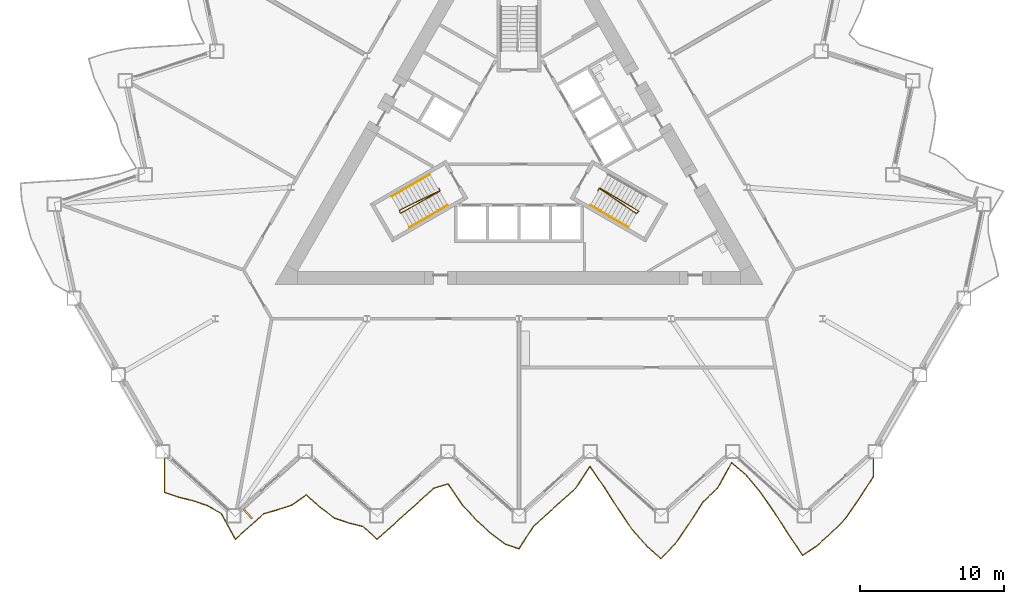
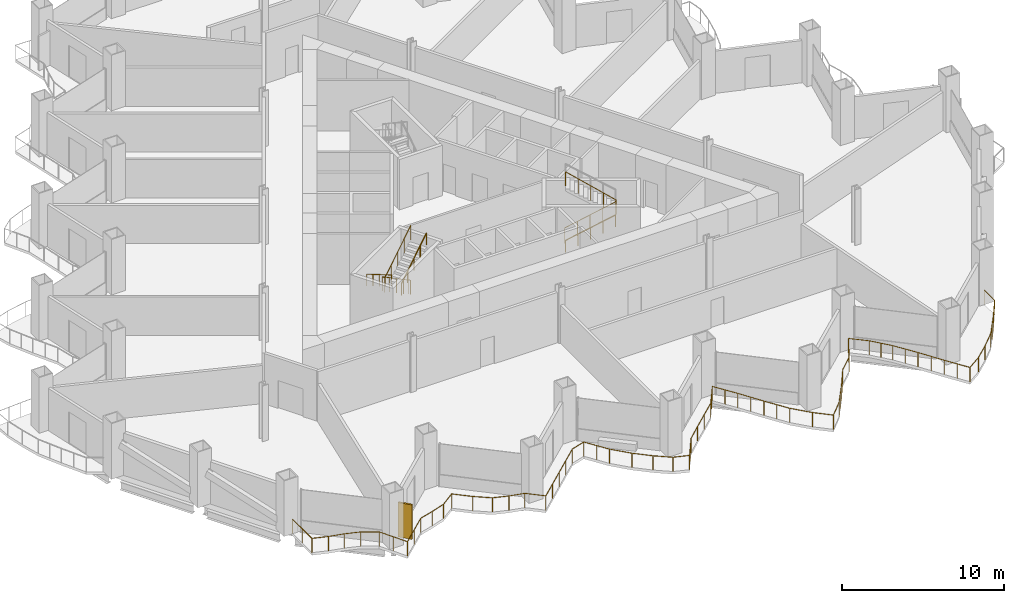
# One storey, part 17 of 21: 6 railings, 1 shading device.
"""IFC4 building model written with IfcOpenShell, lengths in metres."""

import ifcopenshell
import ifcopenshell.guid

model = None  # the IFC model being written
_history = None  # IfcOwnerHistory: only IFC2X3 demands one
_inside = {}  # id of a spatial element -> (the spatial element, [elements in it])
_under = {}  # id of a project, library or spatial element -> (it, [spatial elements below it])
_declared = {}  # id of a project -> (the project, [libraries it declares])
_typed = {}  # id of a type object -> (the type object, [elements of that type])
_made_of = {}  # id of a material, layer set ... -> (it, [elements and type objects made of it])


def new_model(schema):
    """Start an empty IFC model of exactly this schema.

    Asked for "IFC4X3", IfcOpenShell would pick the latest addendum, in which some entities
    have other attributes; the version numbers below select the first issue.
    IFC2X3 requires an IfcOwnerHistory on every rooted entity: one is made here for all.
    """
    global model, _history
    if schema == "IFC4X3":
        model = ifcopenshell.file(schema_version=(4, 3, 0, 0))
    else:
        model = ifcopenshell.file(schema=schema)
    _inside.clear()
    _under.clear()
    _declared.clear()
    _typed.clear()
    _made_of.clear()
    _history = None
    if model.schema == "IFC2X3":
        org = make("IfcOrganization", Name="unknown")
        user = make(
            "IfcPersonAndOrganization",
            ThePerson=make("IfcPerson", FamilyName="unknown"),
            TheOrganization=org,
        )
        app = make(
            "IfcApplication",
            ApplicationDeveloper=org,
            Version="unknown",
            ApplicationFullName="unknown",
            ApplicationIdentifier="unknown",
        )
        _history = make(
            "IfcOwnerHistory",
            OwningUser=user,
            OwningApplication=app,
            ChangeAction="ADDED",
            CreationDate=0,
        )
    return model


def make(cls, **values):
    """One entity of the class cls with the attributes given. An attribute that is None is left unset."""
    return model.create_entity(
        cls, **{name: value for name, value in values.items() if value is not None}
    )


def rooted(cls, **values):
    """An entity with a GlobalId (a new one), such as an element, a storey or a relation."""
    return make(cls, GlobalId=ifcopenshell.guid.new(), OwnerHistory=_history, **values)


def si_unit(unit_type, name, prefix=None):
    """IfcSIUnit, for example si_unit("LENGTHUNIT", "METRE", prefix="MILLI")."""
    return make("IfcSIUnit", UnitType=unit_type, Prefix=prefix, Name=name)


def assignment(units):
    """IfcUnitAssignment: the units of a project."""
    return None if units is None else make("IfcUnitAssignment", Units=units)


def point(xyz):
    """IfcCartesianPoint."""
    return None if xyz is None else make("IfcCartesianPoint", Coordinates=xyz)


def direction(xyz):
    """IfcDirection."""
    return None if xyz is None else make("IfcDirection", DirectionRatios=xyz)


def frame(location, z_axis=None, x_axis=None):
    """IfcAxis2Placement3D, a coordinate frame: its origin and axes. An axis left out is left unset."""
    return make(
        "IfcAxis2Placement3D",
        Location=point(location),
        Axis=direction(z_axis),
        RefDirection=direction(x_axis),
    )


def frame_2d(location, x_axis=None):
    """IfcAxis2Placement2D, a coordinate frame in the plane: its origin and x axis."""
    return make(
        "IfcAxis2Placement2D", Location=point(location), RefDirection=direction(x_axis)
    )


def origin():
    """The frame at (0, 0, 0) with its axes left unset."""
    return frame((0.0, 0.0, 0.0))


def origin_2d():
    """The frame at (0, 0) in the plane with its x axis left unset."""
    return frame_2d((0.0, 0.0))


def place(relative_to, where):
    """IfcLocalPlacement: puts the frame where relative to a parent placement (None: the world)."""
    return make(
        "IfcLocalPlacement", PlacementRelTo=relative_to, RelativePlacement=where
    )


def context(
    kind, dimensions, precision=None, world=None, true_north=None, identifier=None
):
    """IfcGeometricRepresentationContext, for example the 3D "Model" context."""
    return make(
        "IfcGeometricRepresentationContext",
        ContextIdentifier=identifier,
        ContextType=kind,
        CoordinateSpaceDimension=dimensions,
        Precision=precision,
        WorldCoordinateSystem=world,
        TrueNorth=true_north,
    )


def subcontext(parent, identifier, kind, view, scale=None):
    """IfcGeometricRepresentationSubContext, for example "Body" below "Model"."""
    return make(
        "IfcGeometricRepresentationSubContext",
        ContextIdentifier=identifier,
        ContextType=kind,
        ParentContext=parent,
        TargetScale=scale,
        TargetView=view,
    )


def project(units=None, contexts=None):
    """IfcProject with its units and contexts."""
    return rooted(
        "IfcProject",
        Name="project",
        RepresentationContexts=contexts,
        UnitsInContext=assignment(units),
    )


def spatial(cls, under=None, at=None, **own):
    """A site, building, storey or space (cls), placed at a placement, below another one or the project."""
    s = rooted(cls, ObjectPlacement=at, **own)
    if under is not None:
        _under.setdefault(under.id(), (under, []))[1].append(s)
    return s


def profile(cls, at=None, kind="AREA", **sizes):
    """A parametric profile (cls). Its sizes go by their IFC names, for example OverallWidth=200.0."""
    return make(cls, ProfileType=kind, Position=at, **sizes)


def rectangle(**sizes):
    """IfcRectangleProfileDef."""
    return profile("IfcRectangleProfileDef", **sizes)


def circle(**sizes):
    """IfcCircleProfileDef."""
    return profile("IfcCircleProfileDef", **sizes)


def extrude(swept, where, along, depth):
    """IfcExtrudedAreaSolid: the profile swept, set in the frame where, extruded along a direction by depth."""
    return make(
        "IfcExtrudedAreaSolid",
        SweptArea=swept,
        Position=where,
        ExtrudedDirection=direction(along),
        Depth=depth,
    )


def shape(context_of_items, identifier, shape_type, items):
    """IfcShapeRepresentation: the items that make up one representation, for example the "Body"."""
    return make(
        "IfcShapeRepresentation",
        ContextOfItems=context_of_items,
        RepresentationIdentifier=identifier,
        RepresentationType=shape_type,
        Items=items,
    )


def material(Name=None, Category=None):
    """IfcMaterial."""
    return make("IfcMaterial", Name=Name, Category=Category)


def layer(
    of_material, thickness, ventilated=None, Name=None, Category=None, Priority=None
):
    """IfcMaterialLayer: one layer of a wall or slab, of a material (None: an air gap)."""
    return make(
        "IfcMaterialLayer",
        Material=of_material,
        LayerThickness=thickness,
        IsVentilated=ventilated,
        Name=Name,
        Category=Category,
        Priority=Priority,
    )


def layer_set(layers, Name=None):
    """IfcMaterialLayerSet."""
    return make("IfcMaterialLayerSet", MaterialLayers=layers, LayerSetName=Name)


def made_of(thing, what):
    """Note that an element or type object is made of a material, layer set ...; save() writes the relation."""
    if what is not None:
        _made_of.setdefault(what.id(), (what, []))[1].append(thing)
    return thing


def type_object(cls, material=None, **own):
    """A type object (cls), such as IfcWallType, which elements share."""
    return made_of(rooted(cls, **own), material)


def element(
    cls,
    number,
    at=None,
    inside=None,
    cuts=None,
    type_object=None,
    material=None,
    context=None,
    identifier="Body",
    shape_type=None,
    held_by="IfcProductDefinitionShape",
    body=None,
    shapes=None,
    **own,
):
    """One element of the class cls, such as IfcWall. Its Tag is "e" and its number.

    at: its placement. inside: the storey or other place that contains it. cuts: it is an
    opening in that element (IfcRelVoidsElement). A single representation is given by context,
    identifier, shape_type and body (its items); several are given by shapes. held_by: the class
    of the entity that holds the representations. save() writes the other relations.
    """
    e = rooted(cls, Tag="e%d" % number, ObjectPlacement=at, **own)
    if body is not None:
        shapes = [shape(context, identifier, shape_type, body)]
    if shapes is not None:
        e.Representation = make(held_by, Representations=shapes)
    if inside is not None:
        _inside.setdefault(inside.id(), (inside, []))[1].append(e)
    if cuts is not None:
        rooted(
            "IfcRelVoidsElement", RelatingBuildingElement=cuts, RelatedOpeningElement=e
        )
    if type_object is not None:
        _typed.setdefault(type_object.id(), (type_object, []))[1].append(e)
    return made_of(e, material)


def aggregate(whole, parts):
    """IfcRelAggregates: a whole, such as a stair, and the parts it consists of."""
    return rooted("IfcRelAggregates", RelatingObject=whole, RelatedObjects=parts)


def save(model, path):
    """Write the relations noted so far, then the file.

    IfcRelAggregates (storeys below a building ...), IfcRelContainedInSpatialStructure (elements
    in a storey), IfcRelDefinesByType, IfcRelAssociatesMaterial and IfcRelDeclares: one each for
    every whole, place, type object, material and project.
    """
    for whole, parts in _under.values():
        aggregate(whole, parts)
    for where, things in _inside.values():
        rooted(
            "IfcRelContainedInSpatialStructure",
            RelatedElements=things,
            RelatingStructure=where,
        )
    for kind, things in _typed.values():
        rooted("IfcRelDefinesByType", RelatedObjects=things, RelatingType=kind)
    for what, things in _made_of.values():
        rooted("IfcRelAssociatesMaterial", RelatedObjects=things, RelatingMaterial=what)
    for by, libraries in _declared.values():
        rooted("IfcRelDeclares", RelatingContext=by, RelatedDefinitions=libraries)
    model.write(path)


model = new_model("IFC4")

# Units and contexts
model_context = context("Model", 3, precision=1e-05, world=origin(), true_north=direction((0.0, 1.0)))
body_context = subcontext(model_context, "Body", "Model", "MODEL_VIEW")
ifc_project = project(units=[si_unit("LENGTHUNIT", "METRE"), si_unit("AREAUNIT", "SQUARE_METRE"), si_unit("VOLUMEUNIT", "CUBIC_METRE"), si_unit("PLANEANGLEUNIT", "RADIAN"), si_unit("MASSUNIT", "GRAM", prefix="KILO")], contexts=[model_context])

# Site, building, storey
site_placement = place(None, origin())
site = spatial("IfcSite", under=ifc_project, at=site_placement, CompositionType="ELEMENT")
building_placement = place(site_placement, origin())
building = spatial("IfcBuilding", under=site, at=building_placement, Name="Cormorant Prow Tower", CompositionType="ELEMENT")
storey_placement = place(building_placement, frame((0.0, 0.0, 80.39990234375)))
storey = spatial("IfcBuildingStorey", under=building, at=storey_placement, Name="L17", CompositionType="ELEMENT", Elevation=80.39990234375)

# Railings
ifc_material_1 = material(Name="Aluminium 6063-T6", Category="aluminium")
railing_type_1 = type_object("IfcRailingType", Name="Balcony guard 1100", PredefinedType="GUARDRAIL", material=ifc_material_1)
railing_1_placement = place(storey_placement, frame((-24.7021484375, -21.913818359375, 0.0)))
element("IfcRailing", 1, at=railing_1_placement, inside=storey, type_object=railing_type_1, Name="Balcony guard S", PredefinedType="GUARDRAIL", context=body_context, shape_type="SweptSolid", body=[
    extrude(circle(Radius=0.02392578125, at=origin_2d()), frame((0.0, 0.0, 1.076171875), z_axis=(0.0, -1.0, 0.0), x_axis=(1.0, 0.0, 0.0)), (0.0, 0.0, 1.0), 2.404052734375),
    extrude(circle(Radius=0.02392578125, at=origin_2d()), frame((0.0, -2.404052734375, 1.076171875), z_axis=(0.948190131152, -0.317703439052, 0.0), x_axis=(0.317703439052, 0.948190131152, 0.0)), (0.0, 0.0, 1.0), 1.0419921875),
    extrude(circle(Radius=0.02392578125, at=origin_2d()), frame((0.988037109375, -2.735107421875, 1.076171875), z_axis=(0.97074618977, -0.240107965397, 0.0), x_axis=(0.240107965397, 0.97074618977, 0.0)), (0.0, 0.0, 1.0), 1.017822265625),
    extrude(circle(Radius=0.02392578125, at=origin_2d()), frame((1.97607421875, -2.9794921875, 1.076171875), z_axis=(0.948636418242, -0.316368370708, 0.0), x_axis=(0.316368370708, 0.948636418242, 0.0)), (0.0, 0.0, 1.0), 1.041748046875),
    extrude(circle(Radius=0.02392578125, at=origin_2d()), frame((2.96435546875, -3.30908203125, 1.076171875), z_axis=(0.868388356242, -0.495884727273, 0.0), x_axis=(0.495884727273, 0.868388356242, 0.0)), (0.0, 0.0, 1.0), 1.1376953125),
    extrude(circle(Radius=0.02392578125, at=origin_2d()), frame((3.952392578125, -3.873291015625, 1.076171875), z_axis=(0.482179429385, -0.876072484375, 0.0), x_axis=(0.876072484375, 0.482179429385, 0.0)), (0.0, 0.0, 1.0), 2.049072265625),
    extrude(circle(Radius=0.02392578125, at=origin_2d()), frame((4.9404296875, -5.66845703125, 1.076171875), z_axis=(0.743138905534, 0.669137181064, 0.0), x_axis=(-0.669137181064, 0.743138905534, 0.0)), (0.0, 0.0, 1.0), 1.32958984375),
    extrude(circle(Radius=0.02392578125, at=origin_2d()), frame((5.928466796875, -4.77880859375, 1.076171875), z_axis=(0.743138905534, 0.669137181064, 0.0), x_axis=(-0.669137181064, 0.743138905534, 0.0)), (0.0, 0.0, 1.0), 1.32958984375),
    extrude(circle(Radius=0.02392578125, at=origin_2d()), frame((6.91650390625, -3.88916015625, 1.076171875), z_axis=(0.962042510506, 0.272899629864, 0.0), x_axis=(-0.272899629864, 0.962042510506, 0.0)), (0.0, 0.0, 1.0), 1.027099609375),
    extrude(circle(Radius=0.02392578125, at=origin_2d()), frame((7.904541015625, -3.60888671875, 1.076171875), z_axis=(0.94940785685, 0.314045731305, 0.0), x_axis=(-0.314045731305, 0.94940785685, 0.0)), (0.0, 0.0, 1.0), 1.041015625),
    extrude(circle(Radius=0.02392578125, at=origin_2d()), frame((8.892822265625, -3.281982421875, 1.076171875), z_axis=(0.811328955943, 0.584589877818, 0.0), x_axis=(-0.584589877818, 0.811328955943, 0.0)), (0.0, 0.0, 1.0), 1.2177734375),
    extrude(circle(Radius=0.02392578125, at=origin_2d()), frame((9.880859375, -2.570068359375, 1.076171875), z_axis=(0.743138905534, -0.669137181064, 0.0), x_axis=(0.669137181064, 0.743138905534, 0.0)), (0.0, 0.0, 1.0), 1.32958984375),
    extrude(circle(Radius=0.02392578125, at=origin_2d()), frame((10.868896484375, -3.459716796875, 1.076171875), z_axis=(0.800782885932, -0.598954730842, 0.0), x_axis=(0.598954730842, 0.800782885932, 0.0)), (0.0, 0.0, 1.0), 1.23388671875),
    extrude(circle(Radius=0.02392578125, at=origin_2d()), frame((11.85693359375, -4.19873046875, 1.076171875), z_axis=(0.946510188179, -0.322673927788, 0.0), x_axis=(0.322673927788, 0.946510188179, 0.0)), (0.0, 0.0, 1.0), 1.044189453125),
    extrude(circle(Radius=0.02392578125, at=origin_2d()), frame((12.84521484375, -4.53564453125, 1.076171875), z_axis=(0.97074618977, -0.240107965397, 0.0), x_axis=(0.240107965397, 0.97074618977, 0.0)), (0.0, 0.0, 1.0), 1.017822265625),
    extrude(circle(Radius=0.02392578125, at=origin_2d()), frame((13.833251953125, -4.780029296875, 1.076171875), z_axis=(0.743595566693, -0.668629668198, 0.0), x_axis=(0.668629668198, 0.743595566693, 0.0)), (0.0, 0.0, 1.0), 1.32861328125),
    extrude(circle(Radius=0.02392578125, at=origin_2d()), frame((14.8212890625, -5.66845703125, 1.076171875), z_axis=(0.743138905534, 0.669137181064, 0.0), x_axis=(-0.669137181064, 0.743138905534, 0.0)), (0.0, 0.0, 1.0), 1.32958984375),
    extrude(circle(Radius=0.02392578125, at=origin_2d()), frame((15.809326171875, -4.77880859375, 1.076171875), z_axis=(0.743138905534, 0.669137181064, 0.0), x_axis=(-0.669137181064, 0.743138905534, 0.0)), (0.0, 0.0, 1.0), 1.32958984375),
    extrude(circle(Radius=0.02392578125, at=origin_2d()), frame((16.79736328125, -3.88916015625, 1.076171875), z_axis=(0.743221106747, 0.669045877714, 0.0), x_axis=(-0.669045877714, 0.743221106747, 0.0)), (0.0, 0.0, 1.0), 1.329833984375),
    extrude(circle(Radius=0.02392578125, at=origin_2d()), frame((17.78564453125, -2.99951171875, 1.076171875), z_axis=(0.743138905534, 0.669137181064, 0.0), x_axis=(-0.669137181064, 0.743138905534, 0.0)), (0.0, 0.0, 1.0), 1.32958984375),
    extrude(circle(Radius=0.02392578125, at=origin_2d()), frame((18.773681640625, -2.10986328125, 1.076171875), z_axis=(0.956390087859, 0.292092450851, 0.0), x_axis=(-0.292092450851, 0.956390087859, 0.0)), (0.0, 0.0, 1.0), 1.033203125),
    extrude(circle(Radius=0.02392578125, at=origin_2d()), frame((19.76171875, -1.80810546875, 1.076171875), z_axis=(0.560986063044, -0.82782524549, 0.0), x_axis=(0.82782524549, 0.560986063044, 0.0)), (0.0, 0.0, 1.0), 1.76123046875),
    extrude(circle(Radius=0.02392578125, at=origin_2d()), frame((20.749755859375, -3.26611328125, 1.076171875), z_axis=(0.673890236732, -0.738831475261, 0.0), x_axis=(0.738831475261, 0.673890236732, 0.0)), (0.0, 0.0, 1.0), 1.466064453125),
    extrude(circle(Radius=0.02392578125, at=origin_2d()), frame((21.73779296875, -4.349365234375, 1.076171875), z_axis=(0.743138905534, -0.669137181064, 0.0), x_axis=(0.669137181064, 0.743138905534, 0.0)), (0.0, 0.0, 1.0), 1.32958984375),
    extrude(circle(Radius=0.02392578125, at=origin_2d()), frame((22.725830078125, -5.239013671875, 1.076171875), z_axis=(0.794976169814, -0.606640659228, 0.0), x_axis=(0.606640659228, 0.794976169814, 0.0)), (0.0, 0.0, 1.0), 1.2431640625),
    extrude(circle(Radius=0.02392578125, at=origin_2d()), frame((23.714111328125, -5.9931640625, 1.076171875), z_axis=(0.944761037783, -0.327759944909, 0.0), x_axis=(0.327759944909, 0.944761037783, 0.0)), (0.0, 0.0, 1.0), 1.0458984375),
    extrude(circle(Radius=0.02392578125, at=origin_2d()), frame((24.7021484375, -6.3359375, 1.076171875), z_axis=(0.541386229639, 0.840774018602, 0.0), x_axis=(-0.840774018602, 0.541386229639, 0.0)), (0.0, 0.0, 1.0), 1.824951171875),
    extrude(circle(Radius=0.02392578125, at=origin_2d()), frame((25.690185546875, -4.801513671875, 1.076171875), z_axis=(0.734768648646, 0.67831779644, 0.0), x_axis=(-0.67831779644, 0.734768648646, 0.0)), (0.0, 0.0, 1.0), 1.344970703125),
    extrude(circle(Radius=0.02392578125, at=origin_2d()), frame((26.678466796875, -3.88916015625, 1.076171875), z_axis=(0.743138905534, 0.669137181064, 0.0), x_axis=(-0.669137181064, 0.743138905534, 0.0)), (0.0, 0.0, 1.0), 1.32958984375),
    extrude(circle(Radius=0.02392578125, at=origin_2d()), frame((27.66650390625, -2.99951171875, 1.076171875), z_axis=(0.743138905534, 0.669137181064, 0.0), x_axis=(-0.669137181064, 0.743138905534, 0.0)), (0.0, 0.0, 1.0), 1.32958984375),
    extrude(circle(Radius=0.02392578125, at=origin_2d()), frame((28.654541015625, -2.10986328125, 1.076171875), z_axis=(0.547096376905, 0.837069623375, 0.0), x_axis=(-0.837069623375, 0.547096376905, 0.0)), (0.0, 0.0, 1.0), 1.805908203125),
    extrude(circle(Radius=0.02392578125, at=origin_2d()), frame((29.642578125, -0.59814453125, 1.076171875), z_axis=(0.567480618959, -0.823386754269, 0.0), x_axis=(0.823386754269, 0.567480618959, 0.0)), (0.0, 0.0, 1.0), 1.7412109375),
    extrude(circle(Radius=0.02392578125, at=origin_2d()), frame((30.630615234375, -2.03173828125, 1.076171875), z_axis=(0.541447127104, -0.840734802748, 0.0), x_axis=(0.840734802748, 0.541447127104, 0.0)), (0.0, 0.0, 1.0), 1.82470703125),
    extrude(circle(Radius=0.02392578125, at=origin_2d()), frame((31.61865234375, -3.56591796875, 1.076171875), z_axis=(0.559667552129, -0.828717220223, 0.0), x_axis=(0.828717220223, 0.559667552129, 0.0)), (0.0, 0.0, 1.0), 1.765869140625),
    extrude(circle(Radius=0.02392578125, at=origin_2d()), frame((32.60693359375, -5.029296875, 1.076171875), z_axis=(0.668444418094, -0.743762099006, 0.0), x_axis=(0.743762099006, 0.668444418094, 0.0)), (0.0, 0.0, 1.0), 1.47802734375),
    extrude(circle(Radius=0.02392578125, at=origin_2d()), frame((33.594970703125, -6.128662109375, 1.076171875), z_axis=(0.743047599076, -0.669238571443, 0.0), x_axis=(0.669238571443, 0.743047599076, 0.0)), (0.0, 0.0, 1.0), 1.32958984375),
    extrude(circle(Radius=0.02392578125, at=origin_2d()), frame((34.5830078125, -7.0185546875, 1.076171875), z_axis=(0.699115669359, 0.71500858796, 0.0), x_axis=(-0.71500858796, 0.699115669359, 0.0)), (0.0, 0.0, 1.0), 1.413330078125),
    extrude(circle(Radius=0.02392578125, at=origin_2d()), frame((35.571044921875, -6.008056640625, 1.076171875), z_axis=(0.568333352067, 0.822798396284, 0.0), x_axis=(-0.822798396284, 0.568333352067, 0.0)), (0.0, 0.0, 1.0), 1.738525390625),
    extrude(circle(Radius=0.02392578125, at=origin_2d()), frame((36.55908203125, -4.57763671875, 1.076171875), z_axis=(0.541602594243, 0.840634658999, 0.0), x_axis=(-0.840634658999, 0.541602594243, 0.0)), (0.0, 0.0, 1.0), 1.82470703125),
    extrude(circle(Radius=0.02392578125, at=origin_2d()), frame((37.54736328125, -3.043701171875, 1.076171875), z_axis=(0.726759113227, 0.686892416134, 0.0), x_axis=(-0.686892416134, 0.726759113227, 0.0)), (0.0, 0.0, 1.0), 1.359619140625),
    extrude(circle(Radius=0.02392578125, at=origin_2d()), frame((38.535400390625, -2.10986328125, 1.076171875), z_axis=(0.486132407498, 0.873885165443, 0.0), x_axis=(-0.873885165443, 0.486132407498, 0.0)), (0.0, 0.0, 1.0), 2.032470703125),
    extrude(circle(Radius=0.02392578125, at=origin_2d()), frame((39.5234375, -0.333740234375, 1.076171875), z_axis=(0.75757593493, -0.652747043514, 0.0), x_axis=(0.652747043514, 0.75757593493, 0.0)), (0.0, 0.0, 1.0), 1.30419921875),
    extrude(circle(Radius=0.02392578125, at=origin_2d()), frame((40.511474609375, -1.18505859375, 1.076171875), z_axis=(0.642804697736, -0.766030104219, 0.0), x_axis=(0.766030104219, 0.642804697736, 0.0)), (0.0, 0.0, 1.0), 1.537353515625),
    extrude(circle(Radius=0.02392578125, at=origin_2d()), frame((41.499755859375, -2.36279296875, 1.076171875), z_axis=(0.569122223607, -0.822252938332, 0.0), x_axis=(0.822252938332, 0.569122223607, 0.0)), (0.0, 0.0, 1.0), 1.736083984375),
    extrude(circle(Radius=0.02392578125, at=origin_2d()), frame((42.48779296875, -3.790283203125, 1.076171875), z_axis=(0.541568954613, -0.840656331327, 0.0), x_axis=(0.840656331327, 0.541568954613, 0.0)), (0.0, 0.0, 1.0), 1.824462890625),
    extrude(circle(Radius=0.02392578125, at=origin_2d()), frame((43.475830078125, -5.323974609375, 1.076171875), z_axis=(0.558292379585, -0.829644272503, 0.0), x_axis=(0.829644272503, 0.558292379585, 0.0)), (0.0, 0.0, 1.0), 1.769775390625),
    extrude(circle(Radius=0.02392578125, at=origin_2d()), frame((44.4638671875, -6.792236328125, 1.076171875), z_axis=(0.830151959894, 0.55753719471, 0.0), x_axis=(-0.55753719471, 0.830151959894, 0.0)), (0.0, 0.0, 1.0), 1.190185546875),
    extrude(circle(Radius=0.02392578125, at=origin_2d()), frame((45.451904296875, -6.128662109375, 1.076171875), z_axis=(0.743138905534, 0.669137181064, 0.0), x_axis=(-0.669137181064, 0.743138905534, 0.0)), (0.0, 0.0, 1.0), 1.32958984375),
    extrude(circle(Radius=0.02392578125, at=origin_2d()), frame((46.43994140625, -5.239013671875, 1.076171875), z_axis=(0.704404436261, 0.709798837823, 0.0), x_axis=(-0.709798837823, 0.704404436261, 0.0)), (0.0, 0.0, 1.0), 1.403076171875),
    extrude(circle(Radius=0.02392578125, at=origin_2d()), frame((47.42822265625, -4.2431640625, 1.076171875), z_axis=(0.570044680317, 0.821613694166, 0.0), x_axis=(-0.821613694166, 0.570044680317, 0.0)), (0.0, 0.0, 1.0), 1.733154296875),
    extrude(circle(Radius=0.02392578125, at=origin_2d()), frame((48.416259765625, -2.819091796875, 1.076171875), z_axis=(0.541690825575, 0.840577806921, 0.0), x_axis=(-0.840577806921, 0.541690825575, 0.0)), (0.0, 0.0, 1.0), 1.823974609375),
    extrude(circle(Radius=0.02392578125, at=origin_2d()), frame((49.404296875, -1.285888671875, 1.076171875), z_axis=(0.0, 1.0, 0.0), x_axis=(-1.0, 0.0, 0.0)), (0.0, 0.0, 1.0), 1.285888671875),
    extrude(circle(Radius=0.02099609375, at=origin_2d()), origin(), (0.0, 0.0, 1.0), 1.052001953125),
    extrude(circle(Radius=0.02099609375, at=origin_2d()), frame((0.0, -1.2021484375, 0.0)), (0.0, 0.0, 1.0), 1.052001953125),
    extrude(circle(Radius=0.02099609375, at=origin_2d()), frame((0.0, -2.404052734375, 0.0)), (0.0, 0.0, 1.0), 1.052001953125),
    extrude(circle(Radius=0.02099609375, at=origin_2d()), frame((0.988037109375, -2.735107421875, 0.0)), (0.0, 0.0, 1.0), 1.052001953125),
    extrude(circle(Radius=0.02099609375, at=origin_2d()), frame((1.97607421875, -2.9794921875, 0.0)), (0.0, 0.0, 1.0), 1.052001953125),
    extrude(circle(Radius=0.02099609375, at=origin_2d()), frame((2.96435546875, -3.30908203125, 0.0)), (0.0, 0.0, 1.0), 1.052001953125),
    extrude(circle(Radius=0.02099609375, at=origin_2d()), frame((3.952392578125, -3.873291015625, 0.0)), (0.0, 0.0, 1.0), 1.052001953125),
    extrude(circle(Radius=0.02099609375, at=origin_2d()), frame((4.4462890625, -4.77099609375, 0.0)), (0.0, 0.0, 1.0), 1.052001953125),
    extrude(circle(Radius=0.02099609375, at=origin_2d()), frame((4.9404296875, -5.66845703125, 0.0)), (0.0, 0.0, 1.0), 1.052001953125),
    extrude(circle(Radius=0.02099609375, at=origin_2d()), frame((5.928466796875, -4.77880859375, 0.0)), (0.0, 0.0, 1.0), 1.052001953125),
    extrude(circle(Radius=0.02099609375, at=origin_2d()), frame((6.91650390625, -3.88916015625, 0.0)), (0.0, 0.0, 1.0), 1.052001953125),
    extrude(circle(Radius=0.02099609375, at=origin_2d()), frame((7.904541015625, -3.60888671875, 0.0)), (0.0, 0.0, 1.0), 1.052001953125),
    extrude(circle(Radius=0.02099609375, at=origin_2d()), frame((8.892822265625, -3.281982421875, 0.0)), (0.0, 0.0, 1.0), 1.052001953125),
    extrude(circle(Radius=0.02099609375, at=origin_2d()), frame((9.880859375, -2.570068359375, 0.0)), (0.0, 0.0, 1.0), 1.052001953125),
    extrude(circle(Radius=0.02099609375, at=origin_2d()), frame((10.868896484375, -3.459716796875, 0.0)), (0.0, 0.0, 1.0), 1.052001953125),
    extrude(circle(Radius=0.02099609375, at=origin_2d()), frame((11.85693359375, -4.19873046875, 0.0)), (0.0, 0.0, 1.0), 1.052001953125),
    extrude(circle(Radius=0.02099609375, at=origin_2d()), frame((12.84521484375, -4.53564453125, 0.0)), (0.0, 0.0, 1.0), 1.052001953125),
    extrude(circle(Radius=0.02099609375, at=origin_2d()), frame((13.833251953125, -4.780029296875, 0.0)), (0.0, 0.0, 1.0), 1.052001953125),
    extrude(circle(Radius=0.02099609375, at=origin_2d()), frame((14.8212890625, -5.66845703125, 0.0)), (0.0, 0.0, 1.0), 1.052001953125),
    extrude(circle(Radius=0.02099609375, at=origin_2d()), frame((15.809326171875, -4.77880859375, 0.0)), (0.0, 0.0, 1.0), 1.052001953125),
    extrude(circle(Radius=0.02099609375, at=origin_2d()), frame((16.79736328125, -3.88916015625, 0.0)), (0.0, 0.0, 1.0), 1.052001953125),
    extrude(circle(Radius=0.02099609375, at=origin_2d()), frame((17.78564453125, -2.99951171875, 0.0)), (0.0, 0.0, 1.0), 1.052001953125),
    extrude(circle(Radius=0.02099609375, at=origin_2d()), frame((18.773681640625, -2.10986328125, 0.0)), (0.0, 0.0, 1.0), 1.052001953125),
    extrude(circle(Radius=0.02099609375, at=origin_2d()), frame((19.76171875, -1.80810546875, 0.0)), (0.0, 0.0, 1.0), 1.052001953125),
    extrude(circle(Radius=0.02099609375, at=origin_2d()), frame((20.255859375, -2.537109375, 0.0)), (0.0, 0.0, 1.0), 1.052001953125),
    extrude(circle(Radius=0.02099609375, at=origin_2d()), frame((20.749755859375, -3.26611328125, 0.0)), (0.0, 0.0, 1.0), 1.052001953125),
    extrude(circle(Radius=0.02099609375, at=origin_2d()), frame((21.73779296875, -4.349365234375, 0.0)), (0.0, 0.0, 1.0), 1.052001953125),
    extrude(circle(Radius=0.02099609375, at=origin_2d()), frame((22.725830078125, -5.239013671875, 0.0)), (0.0, 0.0, 1.0), 1.052001953125),
    extrude(circle(Radius=0.02099609375, at=origin_2d()), frame((23.714111328125, -5.9931640625, 0.0)), (0.0, 0.0, 1.0), 1.052001953125),
    extrude(circle(Radius=0.02099609375, at=origin_2d()), frame((24.7021484375, -6.3359375, 0.0)), (0.0, 0.0, 1.0), 1.052001953125),
    extrude(circle(Radius=0.02099609375, at=origin_2d()), frame((25.1962890625, -5.56884765625, 0.0)), (0.0, 0.0, 1.0), 1.052001953125),
    extrude(circle(Radius=0.02099609375, at=origin_2d()), frame((25.690185546875, -4.801513671875, 0.0)), (0.0, 0.0, 1.0), 1.052001953125),
    extrude(circle(Radius=0.02099609375, at=origin_2d()), frame((26.678466796875, -3.88916015625, 0.0)), (0.0, 0.0, 1.0), 1.052001953125),
    extrude(circle(Radius=0.02099609375, at=origin_2d()), frame((27.66650390625, -2.99951171875, 0.0)), (0.0, 0.0, 1.0), 1.052001953125),
    extrude(circle(Radius=0.02099609375, at=origin_2d()), frame((28.654541015625, -2.10986328125, 0.0)), (0.0, 0.0, 1.0), 1.052001953125),
    extrude(circle(Radius=0.02099609375, at=origin_2d()), frame((29.1484375, -1.35400390625, 0.0)), (0.0, 0.0, 1.0), 1.052001953125),
    extrude(circle(Radius=0.02099609375, at=origin_2d()), frame((29.642578125, -0.59814453125, 0.0)), (0.0, 0.0, 1.0), 1.052001953125),
    extrude(circle(Radius=0.02099609375, at=origin_2d()), frame((30.13671875, -1.31494140625, 0.0)), (0.0, 0.0, 1.0), 1.052001953125),
    extrude(circle(Radius=0.02099609375, at=origin_2d()), frame((30.630615234375, -2.03173828125, 0.0)), (0.0, 0.0, 1.0), 1.052001953125),
    extrude(circle(Radius=0.02099609375, at=origin_2d()), frame((31.12451171875, -2.798828125, 0.0)), (0.0, 0.0, 1.0), 1.052001953125),
    extrude(circle(Radius=0.02099609375, at=origin_2d()), frame((31.61865234375, -3.56591796875, 0.0)), (0.0, 0.0, 1.0), 1.052001953125),
    extrude(circle(Radius=0.02099609375, at=origin_2d()), frame((32.11279296875, -4.297607421875, 0.0)), (0.0, 0.0, 1.0), 1.052001953125),
    extrude(circle(Radius=0.02099609375, at=origin_2d()), frame((32.60693359375, -5.029296875, 0.0)), (0.0, 0.0, 1.0), 1.052001953125),
    extrude(circle(Radius=0.02099609375, at=origin_2d()), frame((33.594970703125, -6.128662109375, 0.0)), (0.0, 0.0, 1.0), 1.052001953125),
    extrude(circle(Radius=0.02099609375, at=origin_2d()), frame((34.5830078125, -7.0185546875, 0.0)), (0.0, 0.0, 1.0), 1.052001953125),
    extrude(circle(Radius=0.02099609375, at=origin_2d()), frame((35.571044921875, -6.008056640625, 0.0)), (0.0, 0.0, 1.0), 1.052001953125),
    extrude(circle(Radius=0.02099609375, at=origin_2d()), frame((36.06494140625, -5.29296875, 0.0)), (0.0, 0.0, 1.0), 1.052001953125),
    extrude(circle(Radius=0.02099609375, at=origin_2d()), frame((36.55908203125, -4.57763671875, 0.0)), (0.0, 0.0, 1.0), 1.052001953125),
    extrude(circle(Radius=0.02099609375, at=origin_2d()), frame((37.05322265625, -3.810546875, 0.0)), (0.0, 0.0, 1.0), 1.052001953125),
    extrude(circle(Radius=0.02099609375, at=origin_2d()), frame((37.54736328125, -3.043701171875, 0.0)), (0.0, 0.0, 1.0), 1.052001953125),
    extrude(circle(Radius=0.02099609375, at=origin_2d()), frame((38.535400390625, -2.10986328125, 0.0)), (0.0, 0.0, 1.0), 1.052001953125),
    extrude(circle(Radius=0.02099609375, at=origin_2d()), frame((39.029296875, -1.2216796875, 0.0)), (0.0, 0.0, 1.0), 1.052001953125),
    extrude(circle(Radius=0.02099609375, at=origin_2d()), frame((39.5234375, -0.333740234375, 0.0)), (0.0, 0.0, 1.0), 1.052001953125),
    extrude(circle(Radius=0.02099609375, at=origin_2d()), frame((40.511474609375, -1.18505859375, 0.0)), (0.0, 0.0, 1.0), 1.052001953125),
    extrude(circle(Radius=0.02099609375, at=origin_2d()), frame((41.005615234375, -1.77392578125, 0.0)), (0.0, 0.0, 1.0), 1.052001953125),
    extrude(circle(Radius=0.02099609375, at=origin_2d()), frame((41.499755859375, -2.36279296875, 0.0)), (0.0, 0.0, 1.0), 1.052001953125),
    extrude(circle(Radius=0.02099609375, at=origin_2d()), frame((41.99365234375, -3.07666015625, 0.0)), (0.0, 0.0, 1.0), 1.052001953125),
    extrude(circle(Radius=0.02099609375, at=origin_2d()), frame((42.48779296875, -3.790283203125, 0.0)), (0.0, 0.0, 1.0), 1.052001953125),
    extrude(circle(Radius=0.02099609375, at=origin_2d()), frame((42.98193359375, -4.55712890625, 0.0)), (0.0, 0.0, 1.0), 1.052001953125),
    extrude(circle(Radius=0.02099609375, at=origin_2d()), frame((43.475830078125, -5.323974609375, 0.0)), (0.0, 0.0, 1.0), 1.052001953125),
    extrude(circle(Radius=0.02099609375, at=origin_2d()), frame((43.9697265625, -6.05810546875, 0.0)), (0.0, 0.0, 1.0), 1.052001953125),
    extrude(circle(Radius=0.02099609375, at=origin_2d()), frame((44.4638671875, -6.792236328125, 0.0)), (0.0, 0.0, 1.0), 1.052001953125),
    extrude(circle(Radius=0.02099609375, at=origin_2d()), frame((45.451904296875, -6.128662109375, 0.0)), (0.0, 0.0, 1.0), 1.052001953125),
    extrude(circle(Radius=0.02099609375, at=origin_2d()), frame((46.43994140625, -5.239013671875, 0.0)), (0.0, 0.0, 1.0), 1.052001953125),
    extrude(circle(Radius=0.02099609375, at=origin_2d()), frame((47.42822265625, -4.2431640625, 0.0)), (0.0, 0.0, 1.0), 1.052001953125),
    extrude(circle(Radius=0.02099609375, at=origin_2d()), frame((47.92236328125, -3.53125, 0.0)), (0.0, 0.0, 1.0), 1.052001953125),
    extrude(circle(Radius=0.02099609375, at=origin_2d()), frame((48.416259765625, -2.819091796875, 0.0)), (0.0, 0.0, 1.0), 1.052001953125),
    extrude(circle(Radius=0.02099609375, at=origin_2d()), frame((48.91015625, -2.052490234375, 0.0)), (0.0, 0.0, 1.0), 1.052001953125),
    extrude(circle(Radius=0.02099609375, at=origin_2d()), frame((49.404296875, -1.285888671875, 0.0)), (0.0, 0.0, 1.0), 1.052001953125),
    extrude(circle(Radius=0.02099609375, at=origin_2d()), frame((49.404296875, 0.0, 0.0)), (0.0, 0.0, 1.0), 1.052001953125),
])
ifc_material_2 = material(Name="Stainless steel", Category="steel")
railing_type_2 = type_object("IfcRailingType", Name="Stair guard 1100", PredefinedType="GUARDRAIL", material=ifc_material_2)
railing_2_placement = place(storey_placement, frame((-5.585205078125, -3.137939453125, 0.0)))
element("IfcRailing", 2, at=railing_2_placement, inside=storey, type_object=railing_type_2, Name="L17 ST1 stair guard 1", PredefinedType="GUARDRAIL", context=body_context, shape_type="SweptSolid", body=[
    extrude(circle(Radius=0.02392578125, at=origin_2d()), frame((0.0, 0.0, 1.076171875), z_axis=(0.501036270542, -0.865426285481, 0.0), x_axis=(0.865426285481, 0.501036270542, 0.0)), (0.0, 0.0, 1.0), 0.150146484375),
    extrude(circle(Radius=0.02392578125, at=origin_2d()), frame((0.0751953125, -0.1298828125, 1.076171875), z_axis=(-0.744644002882, -0.368732342607, 0.556364780057), x_axis=(0.443754251299, -0.896148516963, 0.0)), (0.0, 0.0, 1.0), 3.774658203125),
    extrude(circle(Radius=0.02392578125, at=origin_2d()), frame((-2.735595703125, -1.521728515625, 3.17626953125), z_axis=(0.274721127897, -0.961523947641, 0.0), x_axis=(0.961523947641, 0.274721127897, 0.0)), (0.0, 0.0, 1.0), 0.2060546875),
    extrude(circle(Radius=0.02392578125, at=origin_2d()), frame((-2.678955078125, -1.719970703125, 3.17626953125), z_axis=(0.725738344322, 0.403670096391, 0.557094524171), x_axis=(-0.486086505765, 0.873910698477, 0.0)), (0.0, 0.0, 1.0), 3.769775390625),
    extrude(circle(Radius=0.02099609375, at=origin_2d()), origin(), (0.0, 0.0, 1.0), 1.052001953125),
    extrude(circle(Radius=0.02099609375, at=origin_2d()), frame((0.0751953125, -0.1298828125, 0.0)), (0.0, 0.0, 1.0), 1.052001953125),
    extrude(circle(Radius=0.02099609375, at=origin_2d()), frame((-0.62744140625, -0.477783203125, 0.52490234375)), (0.0, 0.0, 1.0), 1.052001953125),
    extrude(circle(Radius=0.02099609375, at=origin_2d()), frame((-1.330078125, -0.82568359375, 1.050048828125)), (0.0, 0.0, 1.0), 1.052001953125),
    extrude(circle(Radius=0.02099609375, at=origin_2d()), frame((-2.032958984375, -1.173828125, 1.5751953125)), (0.0, 0.0, 1.0), 1.052001953125),
    extrude(circle(Radius=0.02099609375, at=origin_2d()), frame((-2.735595703125, -1.521728515625, 2.10009765625)), (0.0, 0.0, 1.0), 1.052001953125),
    extrude(circle(Radius=0.02099609375, at=origin_2d()), frame((-2.678955078125, -1.719970703125, 2.10009765625)), (0.0, 0.0, 1.0), 1.052001953125),
    extrude(circle(Radius=0.02099609375, at=origin_2d()), frame((-1.9951171875, -1.339599609375, 2.625)), (0.0, 0.0, 1.0), 1.052001953125),
    extrude(circle(Radius=0.02099609375, at=origin_2d()), frame((-1.31103515625, -0.958984375, 3.150146484375)), (0.0, 0.0, 1.0), 1.052001953125),
    extrude(circle(Radius=0.02099609375, at=origin_2d()), frame((-0.626953125, -0.57861328125, 3.67529296875)), (0.0, 0.0, 1.0), 1.052001953125),
    extrude(circle(Radius=0.02099609375, at=origin_2d()), frame((0.056884765625, -0.1982421875, 4.2001953125)), (0.0, 0.0, 1.0), 1.052001953125),
])
railing_3_placement = place(storey_placement, frame((5.510009765625, -3.267822265625, 0.0)))
element("IfcRailing", 3, at=railing_3_placement, inside=storey, type_object=railing_type_2, Name="L17 ST2 stair guard 1", PredefinedType="GUARDRAIL", context=body_context, shape_type="SweptSolid", body=[
    extrude(circle(Radius=0.02392578125, at=origin_2d()), frame((0.0, 0.0, 1.076171875), z_axis=(0.501036270542, 0.865426285481, 0.0), x_axis=(-0.865426285481, 0.501036270542, 0.0)), (0.0, 0.0, 1.0), 0.150146484375),
    extrude(circle(Radius=0.02392578125, at=origin_2d()), frame((0.0751953125, 0.1298828125, 1.076171875), z_axis=(0.691630634645, -0.46052652377, 0.556383308633), x_axis=(0.554233058506, 0.832361530141, 0.0)), (0.0, 0.0, 1.0), 3.774658203125),
    extrude(circle(Radius=0.02392578125, at=origin_2d()), frame((2.685791015625, -1.6083984375, 3.17626953125), z_axis=(0.695164929852, 0.718850276695, 0.0), x_axis=(-0.718850276695, 0.695164929852, 0.0)), (0.0, 0.0, 1.0), 0.2060546875),
    extrude(circle(Radius=0.02392578125, at=origin_2d()), frame((2.8291015625, -1.460205078125, 3.17626953125), z_axis=(-0.712463317363, 0.426661970256, 0.557095669117), x_axis=(-0.513773053629, -0.857926132814, 0.0)), (0.0, 0.0, 1.0), 3.769775390625),
    extrude(circle(Radius=0.02099609375, at=origin_2d()), origin(), (0.0, 0.0, 1.0), 1.052001953125),
    extrude(circle(Radius=0.02099609375, at=origin_2d()), frame((0.0751953125, 0.1298828125, 0.0)), (0.0, 0.0, 1.0), 1.052001953125),
    extrude(circle(Radius=0.02099609375, at=origin_2d()), frame((0.727783203125, -0.3046875, 0.52490234375)), (0.0, 0.0, 1.0), 1.052001953125),
    extrude(circle(Radius=0.02099609375, at=origin_2d()), frame((1.38037109375, -0.7392578125, 1.050048828125)), (0.0, 0.0, 1.0), 1.052001953125),
    extrude(circle(Radius=0.02099609375, at=origin_2d()), frame((2.033203125, -1.173828125, 1.5751953125)), (0.0, 0.0, 1.0), 1.052001953125),
    extrude(circle(Radius=0.02099609375, at=origin_2d()), frame((2.685791015625, -1.6083984375, 2.10009765625)), (0.0, 0.0, 1.0), 1.052001953125),
    extrude(circle(Radius=0.02099609375, at=origin_2d()), frame((2.8291015625, -1.460205078125, 2.10009765625)), (0.0, 0.0, 1.0), 1.052001953125),
    extrude(circle(Radius=0.02099609375, at=origin_2d()), frame((2.15771484375, -1.05810546875, 2.625)), (0.0, 0.0, 1.0), 1.052001953125),
    extrude(circle(Radius=0.02099609375, at=origin_2d()), frame((1.486328125, -0.656005859375, 3.150146484375)), (0.0, 0.0, 1.0), 1.052001953125),
    extrude(circle(Radius=0.02099609375, at=origin_2d()), frame((0.814697265625, -0.25390625, 3.67529296875)), (0.0, 0.0, 1.0), 1.052001953125),
    extrude(circle(Radius=0.02099609375, at=origin_2d()), frame((0.143310546875, 0.148193359375, 4.2001953125)), (0.0, 0.0, 1.0), 1.052001953125),
])
ifc_material_3 = material(Name="Stainless steel", Category="steel")
railing_type_3 = type_object("IfcRailingType", Name="Stair handrail 900", PredefinedType="HANDRAIL", material=ifc_material_3)
railing_4_placement = place(storey_placement, frame((-6.212890625, -2.150634765625, 0.175048828125)))
element("IfcRailing", 4, at=railing_4_placement, inside=storey, type_object=railing_type_3, Name="L17 ST1 stair handrail 1", PredefinedType="HANDRAIL", context=body_context, shape_type="SweptSolid", body=[
    extrude(circle(Radius=0.02392578125, at=origin_2d()), frame((0.0, 0.0, 0.8759765625), z_axis=(-0.734394994316, -0.423994474112, 0.52999309264), x_axis=(0.499992328818, -0.866029832698, 0.0)), (0.0, 0.0, 1.0), 3.63232421875),
    extrude(circle(Radius=0.02099609375, at=origin_2d()), origin(), (0.0, 0.0, 1.0), 0.851806640625),
    extrude(circle(Radius=0.02099609375, at=origin_2d()), frame((-0.6669921875, -0.385009765625, 0.481201171875)), (0.0, 0.0, 1.0), 0.851806640625),
    extrude(circle(Radius=0.02099609375, at=origin_2d()), frame((-1.333740234375, -0.77001953125, 0.96240234375)), (0.0, 0.0, 1.0), 0.851806640625),
    extrude(circle(Radius=0.02099609375, at=origin_2d()), frame((-2.00048828125, -1.155029296875, 1.44384765625)), (0.0, 0.0, 1.0), 0.851806640625),
    extrude(circle(Radius=0.02099609375, at=origin_2d()), frame((-2.66748046875, -1.5400390625, 1.925048828125)), (0.0, 0.0, 1.0), 0.851806640625),
])
railing_5_placement = place(storey_placement, frame((-7.63623046875, -5.84521484375, 2.275146484375)))
element("IfcRailing", 5, at=railing_5_placement, inside=storey, type_object=railing_type_3, Name="L17 ST1 stair handrail 2", PredefinedType="HANDRAIL", context=body_context, shape_type="SweptSolid", body=[
    extrude(circle(Radius=0.02392578125, at=origin_2d()), frame((0.0, 0.0, 0.8759765625), z_axis=(0.734364028329, 0.424015404183, 0.530019255228), x_axis=(-0.500026652407, 0.866010015463, 0.0)), (0.0, 0.0, 1.0), 3.632080078125),
    extrude(circle(Radius=0.02099609375, at=origin_2d()), origin(), (0.0, 0.0, 1.0), 0.851806640625),
    extrude(circle(Radius=0.02099609375, at=origin_2d()), frame((0.666748046875, 0.385009765625, 0.481201171875)), (0.0, 0.0, 1.0), 0.851806640625),
    extrude(circle(Radius=0.02099609375, at=origin_2d()), frame((1.33349609375, 0.77001953125, 0.96240234375)), (0.0, 0.0, 1.0), 0.851806640625),
    extrude(circle(Radius=0.02099609375, at=origin_2d()), frame((2.00048828125, 1.155029296875, 1.44384765625)), (0.0, 0.0, 1.0), 0.851806640625),
    extrude(circle(Radius=0.02099609375, at=origin_2d()), frame((2.667236328125, 1.5400390625, 1.925048828125)), (0.0, 0.0, 1.0), 0.851806640625),
])
railing_6_placement = place(storey_placement, frame((4.968994140625, -4.30517578125, 0.175048828125)))
element("IfcRailing", 6, at=railing_6_placement, inside=storey, type_object=railing_type_3, Name="L17 ST2 stair handrail 1", PredefinedType="HANDRAIL", context=body_context, shape_type="SweptSolid", body=[
    extrude(circle(Radius=0.02392578125, at=origin_2d()), frame((0.0, 0.0, 0.8759765625), z_axis=(0.734364028329, -0.424015404183, 0.530019255228), x_axis=(0.500026652407, 0.866010015463, 0.0)), (0.0, 0.0, 1.0), 3.632080078125),
    extrude(circle(Radius=0.02099609375, at=origin_2d()), origin(), (0.0, 0.0, 1.0), 0.851806640625),
    extrude(circle(Radius=0.02099609375, at=origin_2d()), frame((0.666748046875, -0.385009765625, 0.481201171875)), (0.0, 0.0, 1.0), 0.851806640625),
    extrude(circle(Radius=0.02099609375, at=origin_2d()), frame((1.33349609375, -0.77001953125, 0.96240234375)), (0.0, 0.0, 1.0), 0.851806640625),
    extrude(circle(Radius=0.02099609375, at=origin_2d()), frame((2.00048828125, -1.155029296875, 1.44384765625)), (0.0, 0.0, 1.0), 0.851806640625),
    extrude(circle(Radius=0.02099609375, at=origin_2d()), frame((2.667236328125, -1.5400390625, 1.925048828125)), (0.0, 0.0, 1.0), 0.851806640625),
])

# Shading device
ifc_material_4 = material(Name="Terracotta", Category="masonry")
ifc_layer = layer(ifc_material_4, 0.1201171875)
ifc_layer_set = layer_set([ifc_layer], Name="Terracotta")
shading_device_type = type_object("IfcShadingDeviceType", Name="Terracotta baguette fin 120x900x2600", PredefinedType="USERDEFINED", material=ifc_layer_set)
shading_device_placement = place(storey_placement, frame((-18.8935546875, -25.80615234375, 0.0), z_axis=(0.0, 0.0, 1.0), x_axis=(0.743144881885, 0.669130543712, 0.0)))
element("IfcShadingDevice", 7, at=shading_device_placement, inside=storey, type_object=shading_device_type, Name="Baguette fin S01", ObjectType="BAGUETTE", PredefinedType="USERDEFINED", context=body_context, shape_type="SweptSolid", body=[
    extrude(rectangle(XDim=0.1201171875, YDim=0.89990234375, at=origin_2d()), origin(), (0.0, 0.0, 1.0), 2.60009765625),
])

save(model, "model.ifc")
